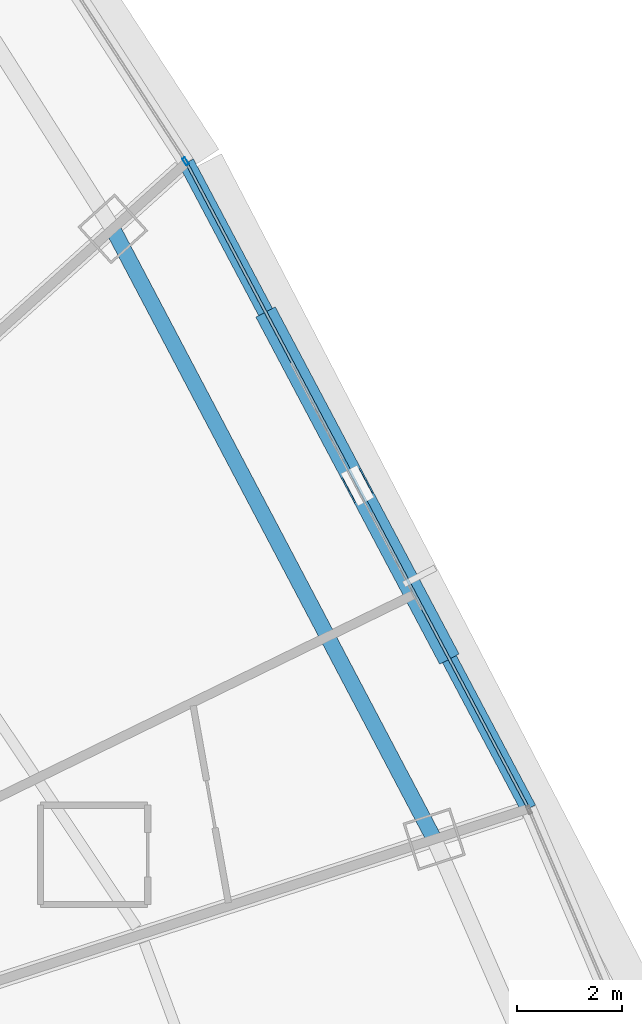
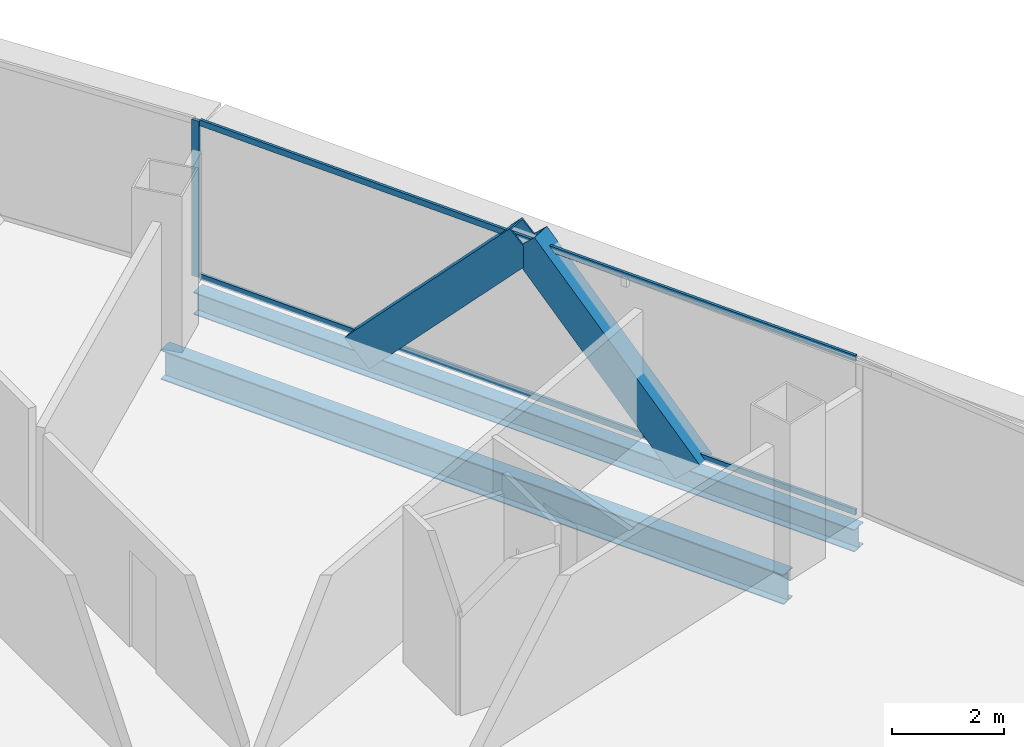
# One storey, part 27 of 42: 5 members, 2 beams, 2 elements without a shape of their own.
"""IFC4 building model written with IfcOpenShell, lengths in metres."""

import ifcopenshell
import ifcopenshell.guid

model = None  # the IFC model being written
_history = None  # IfcOwnerHistory: only IFC2X3 demands one
_inside = {}  # id of a spatial element -> (the spatial element, [elements in it])
_under = {}  # id of a project, library or spatial element -> (it, [spatial elements below it])
_declared = {}  # id of a project -> (the project, [libraries it declares])
_typed = {}  # id of a type object -> (the type object, [elements of that type])
_made_of = {}  # id of a material, layer set ... -> (it, [elements and type objects made of it])


def new_model(schema):
    """Start an empty IFC model of exactly this schema.

    Asked for "IFC4X3", IfcOpenShell would pick the latest addendum, in which some entities
    have other attributes; the version numbers below select the first issue.
    IFC2X3 requires an IfcOwnerHistory on every rooted entity: one is made here for all.
    """
    global model, _history
    if schema == "IFC4X3":
        model = ifcopenshell.file(schema_version=(4, 3, 0, 0))
    else:
        model = ifcopenshell.file(schema=schema)
    _inside.clear()
    _under.clear()
    _declared.clear()
    _typed.clear()
    _made_of.clear()
    _history = None
    if model.schema == "IFC2X3":
        org = make("IfcOrganization", Name="unknown")
        user = make(
            "IfcPersonAndOrganization",
            ThePerson=make("IfcPerson", FamilyName="unknown"),
            TheOrganization=org,
        )
        app = make(
            "IfcApplication",
            ApplicationDeveloper=org,
            Version="unknown",
            ApplicationFullName="unknown",
            ApplicationIdentifier="unknown",
        )
        _history = make(
            "IfcOwnerHistory",
            OwningUser=user,
            OwningApplication=app,
            ChangeAction="ADDED",
            CreationDate=0,
        )
    return model


def make(cls, **values):
    """One entity of the class cls with the attributes given. An attribute that is None is left unset."""
    return model.create_entity(
        cls, **{name: value for name, value in values.items() if value is not None}
    )


def rooted(cls, **values):
    """An entity with a GlobalId (a new one), such as an element, a storey or a relation."""
    return make(cls, GlobalId=ifcopenshell.guid.new(), OwnerHistory=_history, **values)


def si_unit(unit_type, name, prefix=None):
    """IfcSIUnit, for example si_unit("LENGTHUNIT", "METRE", prefix="MILLI")."""
    return make("IfcSIUnit", UnitType=unit_type, Prefix=prefix, Name=name)


def assignment(units):
    """IfcUnitAssignment: the units of a project."""
    return None if units is None else make("IfcUnitAssignment", Units=units)


def point(xyz):
    """IfcCartesianPoint."""
    return None if xyz is None else make("IfcCartesianPoint", Coordinates=xyz)


def direction(xyz):
    """IfcDirection."""
    return None if xyz is None else make("IfcDirection", DirectionRatios=xyz)


def frame(location, z_axis=None, x_axis=None):
    """IfcAxis2Placement3D, a coordinate frame: its origin and axes. An axis left out is left unset."""
    return make(
        "IfcAxis2Placement3D",
        Location=point(location),
        Axis=direction(z_axis),
        RefDirection=direction(x_axis),
    )


def frame_2d(location, x_axis=None):
    """IfcAxis2Placement2D, a coordinate frame in the plane: its origin and x axis."""
    return make(
        "IfcAxis2Placement2D", Location=point(location), RefDirection=direction(x_axis)
    )


def origin():
    """The frame at (0, 0, 0) with its axes left unset."""
    return frame((0.0, 0.0, 0.0))


def origin_2d():
    """The frame at (0, 0) in the plane with its x axis left unset."""
    return frame_2d((0.0, 0.0))


def place(relative_to, where):
    """IfcLocalPlacement: puts the frame where relative to a parent placement (None: the world)."""
    return make(
        "IfcLocalPlacement", PlacementRelTo=relative_to, RelativePlacement=where
    )


def context(
    kind, dimensions, precision=None, world=None, true_north=None, identifier=None
):
    """IfcGeometricRepresentationContext, for example the 3D "Model" context."""
    return make(
        "IfcGeometricRepresentationContext",
        ContextIdentifier=identifier,
        ContextType=kind,
        CoordinateSpaceDimension=dimensions,
        Precision=precision,
        WorldCoordinateSystem=world,
        TrueNorth=true_north,
    )


def subcontext(parent, identifier, kind, view, scale=None):
    """IfcGeometricRepresentationSubContext, for example "Body" below "Model"."""
    return make(
        "IfcGeometricRepresentationSubContext",
        ContextIdentifier=identifier,
        ContextType=kind,
        ParentContext=parent,
        TargetScale=scale,
        TargetView=view,
    )


def project(units=None, contexts=None):
    """IfcProject with its units and contexts."""
    return rooted(
        "IfcProject",
        Name="project",
        RepresentationContexts=contexts,
        UnitsInContext=assignment(units),
    )


def spatial(cls, under=None, at=None, **own):
    """A site, building, storey or space (cls), placed at a placement, below another one or the project."""
    s = rooted(cls, ObjectPlacement=at, **own)
    if under is not None:
        _under.setdefault(under.id(), (under, []))[1].append(s)
    return s


def profile(cls, at=None, kind="AREA", **sizes):
    """A parametric profile (cls). Its sizes go by their IFC names, for example OverallWidth=200.0."""
    return make(cls, ProfileType=kind, Position=at, **sizes)


def hollow_rectangle(**sizes):
    """IfcRectangleHollowProfileDef."""
    return profile("IfcRectangleHollowProfileDef", **sizes)


def i_section(**sizes):
    """IfcIShapeProfileDef."""
    return profile("IfcIShapeProfileDef", **sizes)


def extrude(swept, where, along, depth):
    """IfcExtrudedAreaSolid: the profile swept, set in the frame where, extruded along a direction by depth."""
    return make(
        "IfcExtrudedAreaSolid",
        SweptArea=swept,
        Position=where,
        ExtrudedDirection=direction(along),
        Depth=depth,
    )


def shape(context_of_items, identifier, shape_type, items):
    """IfcShapeRepresentation: the items that make up one representation, for example the "Body"."""
    return make(
        "IfcShapeRepresentation",
        ContextOfItems=context_of_items,
        RepresentationIdentifier=identifier,
        RepresentationType=shape_type,
        Items=items,
    )


def source(mapping_origin, context_of_items, identifier, shape_type, items):
    """IfcRepresentationMap: a shape defined once, which mapped items show again and again."""
    return make(
        "IfcRepresentationMap",
        MappingOrigin=mapping_origin,
        MappedRepresentation=shape(context_of_items, identifier, shape_type, items),
    )


def transform(
    local_origin,
    x_axis=None,
    y_axis=None,
    z_axis=None,
    scale=None,
    scale2=None,
    scale3=None,
    uniform=True,
):
    """IfcCartesianTransformationOperator3D, or its non-uniform kind. x_axis, y_axis, z_axis: its Axis1, 2, 3."""
    if uniform:
        return make(
            "IfcCartesianTransformationOperator3D",
            Axis1=direction(x_axis),
            Axis2=direction(y_axis),
            LocalOrigin=point(local_origin),
            Scale=scale,
            Axis3=direction(z_axis),
        )
    return make(
        "IfcCartesianTransformationOperator3DnonUniform",
        Axis1=direction(x_axis),
        Axis2=direction(y_axis),
        LocalOrigin=point(local_origin),
        Scale=scale,
        Axis3=direction(z_axis),
        Scale2=scale2,
        Scale3=scale3,
    )


def mapped(mapping_source, mapping_target):
    """IfcMappedItem: shows the shape of a source again, moved by a transform."""
    return make(
        "IfcMappedItem", MappingSource=mapping_source, MappingTarget=mapping_target
    )


def material(Name=None, Category=None):
    """IfcMaterial."""
    return make("IfcMaterial", Name=Name, Category=Category)


def layer(
    of_material, thickness, ventilated=None, Name=None, Category=None, Priority=None
):
    """IfcMaterialLayer: one layer of a wall or slab, of a material (None: an air gap)."""
    return make(
        "IfcMaterialLayer",
        Material=of_material,
        LayerThickness=thickness,
        IsVentilated=ventilated,
        Name=Name,
        Category=Category,
        Priority=Priority,
    )


def layer_set(layers, Name=None):
    """IfcMaterialLayerSet."""
    return make("IfcMaterialLayerSet", MaterialLayers=layers, LayerSetName=Name)


def material_profile(
    of_material, cross_section, Name=None, Category=None, Priority=None
):
    """IfcMaterialProfile: a cross section and its material."""
    return make(
        "IfcMaterialProfile",
        Name=Name,
        Material=of_material,
        Profile=cross_section,
        Priority=Priority,
        Category=Category,
    )


def profile_set(profiles, Name=None, composite=None):
    """IfcMaterialProfileSet."""
    return make(
        "IfcMaterialProfileSet",
        Name=Name,
        MaterialProfiles=profiles,
        CompositeProfile=composite,
    )


def made_of(thing, what):
    """Note that an element or type object is made of a material, layer set ...; save() writes the relation."""
    if what is not None:
        _made_of.setdefault(what.id(), (what, []))[1].append(thing)
    return thing


def type_object(cls, material=None, **own):
    """A type object (cls), such as IfcWallType, which elements share."""
    return made_of(rooted(cls, **own), material)


def element(
    cls,
    number,
    at=None,
    inside=None,
    cuts=None,
    type_object=None,
    material=None,
    context=None,
    identifier="Body",
    shape_type=None,
    held_by="IfcProductDefinitionShape",
    body=None,
    shapes=None,
    **own,
):
    """One element of the class cls, such as IfcWall. Its Tag is "e" and its number.

    at: its placement. inside: the storey or other place that contains it. cuts: it is an
    opening in that element (IfcRelVoidsElement). A single representation is given by context,
    identifier, shape_type and body (its items); several are given by shapes. held_by: the class
    of the entity that holds the representations. save() writes the other relations.
    """
    e = rooted(cls, Tag="e%d" % number, ObjectPlacement=at, **own)
    if body is not None:
        shapes = [shape(context, identifier, shape_type, body)]
    if shapes is not None:
        e.Representation = make(held_by, Representations=shapes)
    if inside is not None:
        _inside.setdefault(inside.id(), (inside, []))[1].append(e)
    if cuts is not None:
        rooted(
            "IfcRelVoidsElement", RelatingBuildingElement=cuts, RelatedOpeningElement=e
        )
    if type_object is not None:
        _typed.setdefault(type_object.id(), (type_object, []))[1].append(e)
    return made_of(e, material)


def aggregate(whole, parts):
    """IfcRelAggregates: a whole, such as a stair, and the parts it consists of."""
    return rooted("IfcRelAggregates", RelatingObject=whole, RelatedObjects=parts)


def save(model, path):
    """Write the relations noted so far, then the file.

    IfcRelAggregates (storeys below a building ...), IfcRelContainedInSpatialStructure (elements
    in a storey), IfcRelDefinesByType, IfcRelAssociatesMaterial and IfcRelDeclares: one each for
    every whole, place, type object, material and project.
    """
    for whole, parts in _under.values():
        aggregate(whole, parts)
    for where, things in _inside.values():
        rooted(
            "IfcRelContainedInSpatialStructure",
            RelatedElements=things,
            RelatingStructure=where,
        )
    for kind, things in _typed.values():
        rooted("IfcRelDefinesByType", RelatedObjects=things, RelatingType=kind)
    for what, things in _made_of.values():
        rooted("IfcRelAssociatesMaterial", RelatedObjects=things, RelatingMaterial=what)
    for by, libraries in _declared.values():
        rooted("IfcRelDeclares", RelatingContext=by, RelatedDefinitions=libraries)
    model.write(path)


model = new_model("IFC4")

# Units and contexts
model_context = context("Model", 3, precision=1e-05, world=origin(), true_north=direction((0.0, 1.0)))
body_context = subcontext(model_context, "Body", "Model", "MODEL_VIEW")
ifc_project = project(units=[si_unit("LENGTHUNIT", "METRE"), si_unit("AREAUNIT", "SQUARE_METRE"), si_unit("VOLUMEUNIT", "CUBIC_METRE"), si_unit("PLANEANGLEUNIT", "RADIAN"), si_unit("MASSUNIT", "GRAM", prefix="KILO"), si_unit("THERMODYNAMICTEMPERATUREUNIT", "KELVIN"), si_unit("POWERUNIT", "WATT")], contexts=[model_context])

# Site, building, storey
site_placement = place(None, origin())
site = spatial("IfcSite", under=ifc_project, at=site_placement, CompositionType="ELEMENT")
building_placement = place(site_placement, origin())
building = spatial("IfcBuilding", under=site, at=building_placement, Name="Yunzhuo Pagoda Commons", CompositionType="ELEMENT")
storey_placement = place(building_placement, frame((0.0, 0.0, 133.510009765625)))
storey = spatial("IfcBuildingStorey", under=building, at=storey_placement, Name="L33", CompositionType="ELEMENT", Elevation=133.510009765625)

# Beams
ifc_material_1 = material(Name="Structural steel Q355B", Category="steel")
ifc_material_profile_1 = material_profile(ifc_material_1, i_section(OverallWidth=0.300048828125, OverallDepth=0.488037109375, WebThickness=0.010986328125, FlangeThickness=0.01806640625, at=origin_2d()), Name="Structural steel Q355B")
ifc_profile_set_1 = profile_set([ifc_material_profile_1], Name="Structural steel Q355B")
beam_type_1 = type_object("IfcBeamType", Name="B-SP1 Beam HM 488x300x11x18", PredefinedType="BEAM", material=ifc_profile_set_1)
shared_shape_1 = source(origin(), body_context, "Body", "SweptSolid", [
    extrude(i_section(OverallWidth=0.300048828125, OverallDepth=0.488037109375, WebThickness=0.010986328125, FlangeThickness=0.01806640625, at=origin_2d()), origin(), (0.0, 0.0, 1.0), 13.98681640625),
])
beam_1_placement = place(storey_placement, frame((79.720458984375, 44.006591796875, -0.503662109375), z_axis=(-0.468057733589, 0.883697888437, 0.0), x_axis=(-0.883697888437, -0.468057733589, 0.0)))
element("IfcBeam", 1, at=beam_1_placement, inside=storey, type_object=beam_type_1, Name="L33 facade edge spandrel beam F2.2", PredefinedType="BEAM", context=body_context, shape_type="MappedRepresentation", body=[
    mapped(shared_shape_1, transform((0.0, 0.0, 0.0), scale=1.0)),
])
ifc_material_profile_2 = material_profile(ifc_material_1, i_section(OverallWidth=0.300048828125, OverallDepth=0.64990234375, WebThickness=0.012939453125, FlangeThickness=0.02197265625, at=origin_2d()), Name="Structural steel Q355B")
ifc_profile_set_2 = profile_set([ifc_material_profile_2], Name="Structural steel Q355B")
beam_type_2 = type_object("IfcBeamType", Name="B-RG2 Beam HN 650x300x13x22", PredefinedType="BEAM", material=ifc_profile_set_2)
shared_shape_2 = source(origin(), body_context, "Body", "SweptSolid", [
    extrude(i_section(OverallWidth=0.300048828125, OverallDepth=0.64990234375, WebThickness=0.012939453125, FlangeThickness=0.02197265625, at=origin_2d()), origin(), (0.0, 0.0, 1.0), 13.198974609375),
])
beam_2_placement = place(storey_placement, frame((77.915283203125, 43.420166015625, -0.5849609375), z_axis=(-0.465885937554, 0.884844784801, 0.0), x_axis=(-0.884844784801, -0.465885937554, 0.0)))
element("IfcBeam", 2, at=beam_2_placement, inside=storey, type_object=beam_type_2, Name="L33 column-ring beam 6", PredefinedType="BEAM", context=body_context, shape_type="MappedRepresentation", body=[
    mapped(shared_shape_2, transform((0.0, 0.0, 0.0), scale=1.0)),
])

# Members
ifc_material_2 = material(Name="Structural steel Q420B", Category="steel")
ifc_material_profile_3 = material_profile(ifc_material_2, hollow_rectangle(XDim=0.419921875, YDim=0.719970703125, WallThickness=0.028076171875, at=origin_2d()), Name="Structural steel Q420B")
ifc_profile_set_3 = profile_set([ifc_material_profile_3], Name="Structural steel Q420B")
member_type_1 = type_object("IfcMemberType", Name="M-DL1 Brace BOX 720x420x28", PredefinedType="BRACE", material=ifc_profile_set_3)
shared_shape_3 = source(origin(), body_context, "Body", "SweptSolid", [
    extrude(hollow_rectangle(XDim=0.419921875, YDim=0.719970703125, WallThickness=0.028076171875, at=origin_2d()), origin(), (0.0, 0.0, 1.0), 5.076416015625),
])
member_1_placement = place(storey_placement, frame((74.810546875, 53.276611328125, -0.260009765625), z_axis=(0.322420021566, -0.608721690477, 0.724916018058), x_axis=(0.883694492721, 0.468064144679, 0.0)))
element("IfcMember", 3, at=member_1_placement, inside=storey, type_object=member_type_1, Name="L33 facade diamond brace F2.2R", PredefinedType="BRACE", context=body_context, shape_type="MappedRepresentation", body=[
    mapped(shared_shape_3, transform((0.0, 0.0, 0.0), scale=1.0)),
])
shared_shape_4 = source(origin(), body_context, "Body", "SweptSolid", [
    extrude(hollow_rectangle(XDim=0.419921875, YDim=0.719970703125, WallThickness=0.028076171875, at=origin_2d()), origin(), (0.0, 0.0, 1.0), 5.076171875),
])
member_2_placement = place(storey_placement, frame((78.083740234375, 47.0966796875, -0.260009765625), z_axis=(-0.322386364581, 0.608700854861, 0.724948481773), x_axis=(-0.883708076265, -0.468038498357, 0.0)))
element("IfcMember", 4, at=member_2_placement, inside=storey, type_object=member_type_1, Name="L33 facade diamond brace F2.2L", PredefinedType="BRACE", context=body_context, shape_type="MappedRepresentation", body=[
    mapped(shared_shape_4, transform((0.0, 0.0, 0.0), scale=1.0)),
])

# Curtain wall, member
ifc_material_3 = material(Name="Anodized aluminium 6063-T6", Category="aluminium")
ifc_layer = layer(ifc_material_3, 0.14990234375)
ifc_layer_set = layer_set([ifc_layer], Name="Anodized aluminium 6063-T6")
curtain_wall_type = type_object("IfcCurtainWallType", Name="CW-MID Mid-Zone Ribbon Curtain Wall", PredefinedType="NOTDEFINED", material=ifc_layer_set)
curtain_wall_1_placement = place(storey_placement, origin())
curtain_wall_1 = element("IfcCurtainWall", 5, at=curtain_wall_1_placement, inside=storey, type_object=curtain_wall_type, Name="L33 curtain wall CW-L33-F2B4", PredefinedType="NOTDEFINED")
ifc_material_profile_4 = material_profile(ifc_material_3, hollow_rectangle(XDim=0.06005859375, YDim=0.14990234375, WallThickness=0.00390625, at=origin_2d()), Name="Anodized aluminium 6063-T6")
ifc_profile_set_4 = profile_set([ifc_material_profile_4], Name="Anodized aluminium 6063-T6")
member_type_2 = type_object("IfcMemberType", Name="CW-MID-M Mullion RHS 150x60x4", PredefinedType="MULLION", material=ifc_profile_set_4)
shared_shape_5 = source(origin(), body_context, "Body", "SweptSolid", [
    extrude(hollow_rectangle(XDim=0.06005859375, YDim=0.14990234375, WallThickness=0.00390625, at=origin_2d()), origin(), (0.0, 0.0, 1.0), 3.419921875),
])
member_3_placement = place(storey_placement, frame((73.157470703125, 56.391845703125, 0.0), z_axis=(0.0, 0.0, 1.0), x_axis=(-0.839249165596, -0.543747034977, 0.0)))
member_3 = element("IfcMember", 6, at=member_3_placement, type_object=member_type_2, Name="CW mullion 1", PredefinedType="MULLION", context=body_context, shape_type="MappedRepresentation", body=[
    mapped(shared_shape_5, transform((0.0, 0.0, 0.0), scale=1.0)),
])
aggregate(curtain_wall_1, [member_3])

# Curtain wall, members
curtain_wall_2_placement = place(storey_placement, origin())
curtain_wall_2 = element("IfcCurtainWall", 7, at=curtain_wall_2_placement, inside=storey, type_object=curtain_wall_type, Name="L33 curtain wall CW-L33-F2B3", PredefinedType="NOTDEFINED")
ifc_material_profile_5 = material_profile(ifc_material_3, hollow_rectangle(XDim=0.054931640625, YDim=0.1298828125, WallThickness=0.00341796875, at=origin_2d()), Name="Anodized aluminium 6063-T6")
ifc_profile_set_5 = profile_set([ifc_material_profile_5], Name="Anodized aluminium 6063-T6")
member_type_3 = type_object("IfcMemberType", Name="CW-MID-T Transom RHS 130x55x3.5", PredefinedType="USERDEFINED", material=ifc_profile_set_5)
shared_shape_6 = source(origin(), body_context, "Body", "SweptSolid", [
    extrude(hollow_rectangle(XDim=0.054931640625, YDim=0.1298828125, WallThickness=0.00341796875, at=origin_2d()), origin(), (0.0, 0.0, 1.0), 13.86669921875),
])
member_4_placement = place(storey_placement, frame((79.6923828125, 44.0595703125, 0.027587890625), z_axis=(-0.468063250671, 0.883694966247, 0.0), x_axis=(-0.883694966247, -0.468063250671, 0.0)))
member_4 = element("IfcMember", 8, at=member_4_placement, type_object=member_type_3, Name="CW transom 1.1", ObjectType="TRANSOM", PredefinedType="USERDEFINED", context=body_context, shape_type="MappedRepresentation", body=[
    mapped(shared_shape_6, transform((0.0, 0.0, 0.0), scale=1.0)),
])
member_5_placement = place(storey_placement, frame((79.6923828125, 44.0595703125, 3.392578125), z_axis=(-0.468063250671, 0.883694966247, 0.0), x_axis=(-0.883694966247, -0.468063250671, 0.0)))
member_5 = element("IfcMember", 9, at=member_5_placement, type_object=member_type_3, Name="CW transom 1.2", ObjectType="TRANSOM", PredefinedType="USERDEFINED", context=body_context, shape_type="MappedRepresentation", body=[
    mapped(shared_shape_6, transform((0.0, 0.0, 0.0), scale=1.0)),
])
aggregate(curtain_wall_2, [member_4, member_5])

save(model, "model.ifc")
